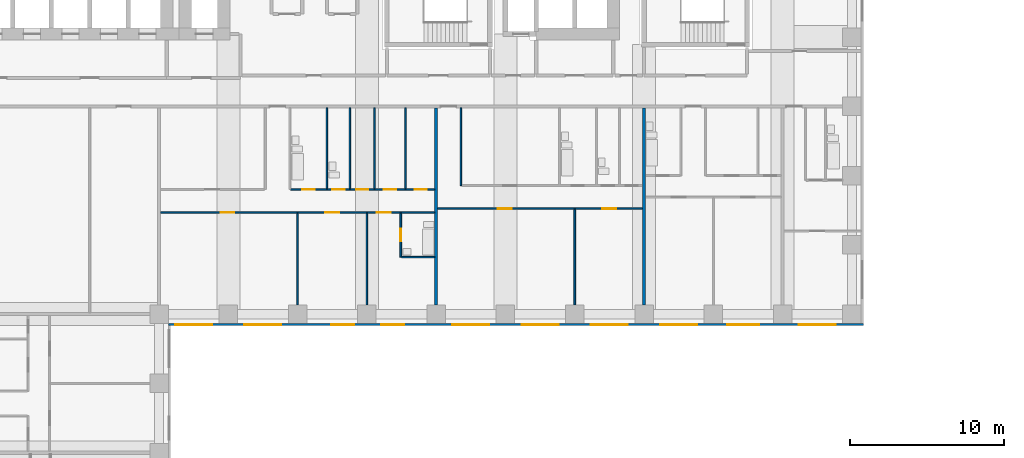
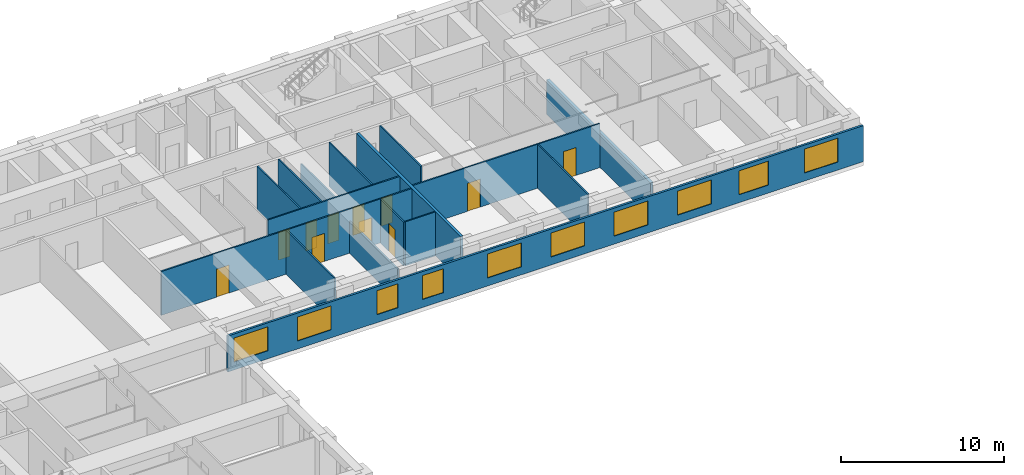
# One storey, part 8 of 14: 16 walls, 11 doors, 10 windows, 21 openings.
"""IFC4 building model written with IfcOpenShell, lengths in metres."""

from ifc_helpers import new_model, si_unit, direction, frame, frame_2d, origin, place, context, subcontext, project, spatial, rectangle, extrude, material, layer, layer_set, type_object, element, fill, save


model = new_model("IFC4")

# Units and contexts
model_context = context("Model", 3, precision=1e-05, world=origin(), true_north=direction((0.0, 1.0)))
body_context = subcontext(model_context, "Body", "Model", "MODEL_VIEW")
ifc_project = project(units=[si_unit("LENGTHUNIT", "METRE"), si_unit("AREAUNIT", "SQUARE_METRE"), si_unit("VOLUMEUNIT", "CUBIC_METRE"), si_unit("PLANEANGLEUNIT", "RADIAN"), si_unit("MASSUNIT", "GRAM", prefix="KILO")], contexts=[model_context])

# Site, building, storey
site_placement = place(None, origin())
site = spatial("IfcSite", under=ifc_project, at=site_placement, CompositionType="ELEMENT")
building_placement = place(site_placement, origin())
building = spatial("IfcBuilding", under=site, at=building_placement, Name="Firuza Court", CompositionType="ELEMENT")
storey_placement = place(building_placement, frame((0.0, 0.0, 32.60009765625)))
storey = spatial("IfcBuildingStorey", under=building, at=storey_placement, Name="L06", CompositionType="ELEMENT", Elevation=32.60009765625)

# Wall, opening, door
ifc_material_1 = material(Name="Moisture-resistant gypsum board partition")
ifc_layer_1 = layer(ifc_material_1, 0.10009765625)
ifc_layer_set_1 = layer_set([ifc_layer_1], Name="Moisture-resistant gypsum board partition")
wall_type_1 = type_object("IfcWallType", Name="Bathroom partition 100", PredefinedType="PLUMBINGWALL", material=ifc_layer_set_1)
wall_1_placement = place(storey_placement, frame((38.199951171875, 39.699951171875, 0.0), z_axis=(0.0, 0.0, 1.0), x_axis=(0.0, 1.0, 0.0)))
wall_1 = element("IfcWall", 1, at=wall_1_placement, inside=storey, type_object=wall_type_1, Name="Bathroom partition 100 L06", PredefinedType="PLUMBINGWALL", context=body_context, shape_type="SweptSolid", body=[
    extrude(rectangle(XDim=2.85009765625, YDim=0.10009765625, at=frame_2d((1.425048828125, 0.0))), origin(), (0.0, 0.0, 1.0), 3.2998046875),
])
opening_1_placement = place(wall_1_placement, frame((1.050048828125, 0.0, 0.0)))
opening_1 = element("IfcOpeningElement", 2, at=opening_1_placement, cuts=wall_1, Name="Opening D06042", PredefinedType="OPENING", context=body_context, shape_type="SweptSolid", body=[
    extrude(rectangle(XDim=0.800048828125, YDim=2.10009765625, at=frame_2d((0.39990234375, 1.050048828125))), frame((0.0, 0.06201171875, 0.0), z_axis=(0.0, -1.0, 0.0), x_axis=(1.0, 0.0, 0.0)), (0.0, 0.0, 1.0), 0.1240234375),
])
ifc_material_2 = material(Name="Timber door leaf in hardwood frame", Category="wood")
door_type_1 = type_object("IfcDoorType", Name="Bathroom door 800", OperationType="SINGLE_SWING_LEFT", PredefinedType="DOOR", material=ifc_material_2)
door_1_placement = place(opening_1_placement, frame((0.800048828125, 0.0, 0.0), z_axis=(0.0, 0.0, 1.0), x_axis=(-1.0, 0.0, 0.0)))
door_1 = element("IfcDoor", 3, at=door_1_placement, inside=storey, type_object=door_type_1, Name="En-suite door", OperationType="SINGLE_SWING_RIGHT", OverallHeight=2.10009765625, OverallWidth=0.800048828125, PredefinedType="DOOR", context=body_context, shape_type="SweptSolid", body=[
    extrude(rectangle(XDim=0.800048828125, YDim=2.10009765625, at=frame_2d((0.39990234375, 1.050048828125))), frame((0.0, 0.02490234375, 0.0), z_axis=(0.0, -1.0, 0.0), x_axis=(1.0, 0.0, 0.0)), (0.0, 0.0, 1.0), 0.050048828125),
])
fill(opening_1, door_1)

# Walls
wall_2_placement = place(storey_placement, frame((38.25, 39.699951171875, 0.0), z_axis=(0.0, 0.0, 1.0), x_axis=(1.0, 0.0, 0.0)))
element("IfcWall", 4, at=wall_2_placement, inside=storey, type_object=wall_type_1, Name="Bathroom partition 100 L06", PredefinedType="PLUMBINGWALL", context=body_context, shape_type="SweptSolid", body=[
    extrude(rectangle(XDim=2.14990234375, YDim=0.10009765625, at=frame_2d((1.074951171875, 0.0))), origin(), (0.0, 0.0, 1.0), 3.2998046875),
])
for number, where, z_axis, x_axis, name in (
    (5, (33.39990234375, 44.14990234375, 0.0), (0.0, 0.0, 1.0), (0.0, 1.0, 0.0), "Bathroom partition 100 L06"),
    (6, (34.89990234375, 44.14990234375, 0.0), (0.0, 0.0, 1.0), (0.0, 1.0, 0.0), "Bathroom partition 100 L06"),
):
    element("IfcWall", number, at=place(storey_placement, frame(where, z_axis=z_axis, x_axis=x_axis)), inside=storey, type_object=wall_type_1, Name=name, PredefinedType="PLUMBINGWALL", context=body_context, shape_type="SweptSolid", body=[
        extrude(rectangle(XDim=5.25, YDim=0.10009765625, at=frame_2d((2.625, 0.0))), origin(), (0.0, 0.0, 1.0), 3.2998046875),
    ])
ifc_material_3 = material(Name="Timber stud partition, plasterboard both sides", Category="wood")
ifc_layer_2 = layer(ifc_material_3, 0.10009765625)
ifc_layer_set_2 = layer_set([ifc_layer_2], Name="Timber stud partition, plasterboard both sides")
wall_type_2 = type_object("IfcWallType", Name="Partition wall 100", PredefinedType="PARTITIONING", material=ifc_layer_set_2)
wall_3_placement = place(storey_placement, frame((31.5, 36.60009765625, 0.0), z_axis=(0.0, 0.0, 1.0), x_axis=(0.0, 1.0, 0.0)))
element("IfcWall", 7, at=wall_3_placement, inside=storey, type_object=wall_type_2, Name="Partition wall 100 L06", PredefinedType="PARTITIONING", context=body_context, shape_type="SweptSolid", body=[
    extrude(rectangle(XDim=5.949951171875, YDim=0.10009765625, at=frame_2d((2.97509765625, 0.0))), origin(), (0.0, 0.0, 1.0), 3.2998046875),
])
wall_4_placement = place(storey_placement, frame((36.0, 36.60009765625, 0.0), z_axis=(0.0, 0.0, 1.0), x_axis=(0.0, 1.0, 0.0)))
element("IfcWall", 8, at=wall_4_placement, inside=storey, type_object=wall_type_2, Name="Partition wall 100 L06", PredefinedType="PARTITIONING", context=body_context, shape_type="SweptSolid", body=[
    extrude(rectangle(XDim=5.949951171875, YDim=0.10009765625, at=frame_2d((2.97509765625, 0.0))), origin(), (0.0, 0.0, 1.0), 2.39990234375),
])
wall_5_placement = place(storey_placement, frame((49.5, 36.60009765625, 0.0), z_axis=(0.0, 0.0, 1.0), x_axis=(0.0, 1.0, 0.0)))
element("IfcWall", 9, at=wall_5_placement, inside=storey, type_object=wall_type_2, Name="Partition wall 100 L06", PredefinedType="PARTITIONING", context=body_context, shape_type="SweptSolid", body=[
    extrude(rectangle(XDim=6.199951171875, YDim=0.10009765625, at=frame_2d((3.10009765625, 0.0))), origin(), (0.0, 0.0, 1.0), 3.2998046875),
])

# Wall, openings, doors
wall_6_placement = place(storey_placement, frame((22.60009765625, 42.60009765625, 0.0), z_axis=(0.0, 0.0, 1.0), x_axis=(1.0, 0.0, 0.0)))
wall_6 = element("IfcWall", 10, at=wall_6_placement, inside=storey, type_object=wall_type_2, Name="Partition wall 100 L06", PredefinedType="PARTITIONING", context=body_context, shape_type="SweptSolid", body=[
    extrude(rectangle(XDim=17.7998046875, YDim=0.10009765625, at=frame_2d((8.89990234375, 0.0))), origin(), (0.0, 0.0, 1.0), 3.2998046875),
])
opening_2_placement = place(wall_6_placement, frame((3.89990234375, 0.0, 0.0)))
opening_2 = element("IfcOpeningElement", 11, at=opening_2_placement, cuts=wall_6, Name="Opening D06044", PredefinedType="OPENING", context=body_context, shape_type="SweptSolid", body=[
    extrude(rectangle(XDim=0.89990234375, YDim=2.10009765625, at=frame_2d((0.449951171875, 1.050048828125))), frame((0.0, 0.06201171875, 0.0), z_axis=(0.0, -1.0, 0.0), x_axis=(1.0, 0.0, 0.0)), (0.0, 0.0, 1.0), 0.1240234375),
])
opening_3_placement = place(wall_6_placement, frame((10.699951171875, 0.0, 0.0)))
opening_3 = element("IfcOpeningElement", 12, at=opening_3_placement, cuts=wall_6, Name="Opening D06045", PredefinedType="OPENING", context=body_context, shape_type="SweptSolid", body=[
    extrude(rectangle(XDim=0.89990234375, YDim=2.10009765625, at=frame_2d((0.449951171875, 1.050048828125))), frame((0.0, 0.06201171875, 0.0), z_axis=(0.0, -1.0, 0.0), x_axis=(1.0, 0.0, 0.0)), (0.0, 0.0, 1.0), 0.1240234375),
])
opening_4_placement = place(wall_6_placement, frame((14.050048828125, 0.0, 0.0)))
opening_4 = element("IfcOpeningElement", 13, at=opening_4_placement, cuts=wall_6, Name="Opening D06046", PredefinedType="OPENING", context=body_context, shape_type="SweptSolid", body=[
    extrude(rectangle(XDim=0.89990234375, YDim=2.10009765625, at=frame_2d((0.449951171875, 1.050048828125))), frame((0.0, 0.06201171875, 0.0), z_axis=(0.0, -1.0, 0.0), x_axis=(1.0, 0.0, 0.0)), (0.0, 0.0, 1.0), 0.1240234375),
])
ifc_material_4 = material(Name="Timber door leaf in hardwood frame", Category="wood")
door_type_2 = type_object("IfcDoorType", Name="Room door 900", OperationType="SINGLE_SWING_LEFT", PredefinedType="DOOR", material=ifc_material_4)
door_2_placement = place(opening_2_placement, frame((0.89990234375, 0.0, 0.0), z_axis=(0.0, 0.0, 1.0), x_axis=(-1.0, 0.0, 0.0)))
door_2 = element("IfcDoor", 14, at=door_2_placement, inside=storey, type_object=door_type_2, Name="Living room door", OperationType="SINGLE_SWING_RIGHT", OverallHeight=2.10009765625, OverallWidth=0.89990234375, PredefinedType="DOOR", context=body_context, shape_type="SweptSolid", body=[
    extrude(rectangle(XDim=0.89990234375, YDim=2.10009765625, at=frame_2d((0.449951171875, 1.050048828125))), frame((0.0, 0.02490234375, 0.0), z_axis=(0.0, -1.0, 0.0), x_axis=(1.0, 0.0, 0.0)), (0.0, 0.0, 1.0), 0.050048828125),
])
fill(opening_2, door_2)
door_3_placement = place(opening_3_placement, frame((0.89990234375, 0.0, 0.0), z_axis=(0.0, 0.0, 1.0), x_axis=(-1.0, 0.0, 0.0)))
door_3 = element("IfcDoor", 15, at=door_3_placement, inside=storey, type_object=door_type_2, Name="Bedroom door", OperationType="SINGLE_SWING_RIGHT", OverallHeight=2.10009765625, OverallWidth=0.89990234375, PredefinedType="DOOR", context=body_context, shape_type="SweptSolid", body=[
    extrude(rectangle(XDim=0.89990234375, YDim=2.10009765625, at=frame_2d((0.449951171875, 1.050048828125))), frame((0.0, 0.02490234375, 0.0), z_axis=(0.0, -1.0, 0.0), x_axis=(1.0, 0.0, 0.0)), (0.0, 0.0, 1.0), 0.050048828125),
])
fill(opening_3, door_3)
door_4_placement = place(opening_4_placement, frame((0.89990234375, 0.0, 0.0), z_axis=(0.0, 0.0, 1.0), x_axis=(-1.0, 0.0, 0.0)))
door_4 = element("IfcDoor", 16, at=door_4_placement, inside=storey, type_object=door_type_2, Name="Bedroom door", OperationType="SINGLE_SWING_RIGHT", OverallHeight=2.10009765625, OverallWidth=0.89990234375, PredefinedType="DOOR", context=body_context, shape_type="SweptSolid", body=[
    extrude(rectangle(XDim=0.89990234375, YDim=2.10009765625, at=frame_2d((0.449951171875, 1.050048828125))), frame((0.0, 0.02490234375, 0.0), z_axis=(0.0, -1.0, 0.0), x_axis=(1.0, 0.0, 0.0)), (0.0, 0.0, 1.0), 0.050048828125),
])
fill(opening_4, door_4)

wall_7_placement = place(storey_placement, frame((40.60009765625, 42.85009765625, 0.0), z_axis=(0.0, 0.0, 1.0), x_axis=(1.0, 0.0, 0.0)))
wall_7 = element("IfcWall", 17, at=wall_7_placement, inside=storey, type_object=wall_type_2, Name="Partition wall 100 L06", PredefinedType="PARTITIONING", context=body_context, shape_type="SweptSolid", body=[
    extrude(rectangle(XDim=13.2998046875, YDim=0.10009765625, at=frame_2d((6.64990234375, 0.0))), origin(), (0.0, 0.0, 1.0), 3.2998046875),
])
opening_5_placement = place(wall_7_placement, frame((3.89990234375, 0.0, 0.0)))
opening_5 = element("IfcOpeningElement", 18, at=opening_5_placement, cuts=wall_7, Name="Opening D06047", PredefinedType="OPENING", context=body_context, shape_type="SweptSolid", body=[
    extrude(rectangle(XDim=0.89990234375, YDim=2.10009765625, at=frame_2d((0.449951171875, 1.050048828125))), frame((0.0, 0.06201171875, 0.0), z_axis=(0.0, -1.0, 0.0), x_axis=(1.0, 0.0, 0.0)), (0.0, 0.0, 1.0), 0.1240234375),
])
opening_6_placement = place(wall_7_placement, frame((10.699951171875, 0.0, 0.0)))
opening_6 = element("IfcOpeningElement", 19, at=opening_6_placement, cuts=wall_7, Name="Opening D06048", PredefinedType="OPENING", context=body_context, shape_type="SweptSolid", body=[
    extrude(rectangle(XDim=0.89990234375, YDim=2.10009765625, at=frame_2d((0.449951171875, 1.050048828125))), frame((0.0, 0.06201171875, 0.0), z_axis=(0.0, -1.0, 0.0), x_axis=(1.0, 0.0, 0.0)), (0.0, 0.0, 1.0), 0.1240234375),
])
door_5_placement = place(opening_5_placement, frame((0.89990234375, 0.0, 0.0), z_axis=(0.0, 0.0, 1.0), x_axis=(-1.0, 0.0, 0.0)))
door_5 = element("IfcDoor", 20, at=door_5_placement, inside=storey, type_object=door_type_2, Name="Living room door", OperationType="SINGLE_SWING_RIGHT", OverallHeight=2.10009765625, OverallWidth=0.89990234375, PredefinedType="DOOR", context=body_context, shape_type="SweptSolid", body=[
    extrude(rectangle(XDim=0.89990234375, YDim=2.10009765625, at=frame_2d((0.449951171875, 1.050048828125))), frame((0.0, 0.02490234375, 0.0), z_axis=(0.0, -1.0, 0.0), x_axis=(1.0, 0.0, 0.0)), (0.0, 0.0, 1.0), 0.050048828125),
])
fill(opening_5, door_5)
door_6_placement = place(opening_6_placement, frame((0.89990234375, 0.0, 0.0), z_axis=(0.0, 0.0, 1.0), x_axis=(-1.0, 0.0, 0.0)))
door_6 = element("IfcDoor", 21, at=door_6_placement, inside=storey, type_object=door_type_2, Name="Bedroom door", OperationType="SINGLE_SWING_RIGHT", OverallHeight=2.10009765625, OverallWidth=0.89990234375, PredefinedType="DOOR", context=body_context, shape_type="SweptSolid", body=[
    extrude(rectangle(XDim=0.89990234375, YDim=2.10009765625, at=frame_2d((0.449951171875, 1.050048828125))), frame((0.0, 0.02490234375, 0.0), z_axis=(0.0, -1.0, 0.0), x_axis=(1.0, 0.0, 0.0)), (0.0, 0.0, 1.0), 0.050048828125),
])
fill(opening_6, door_6)

wall_8_placement = place(storey_placement, frame((31.050048828125, 44.10009765625, 0.0), z_axis=(0.0, 0.0, 1.0), x_axis=(1.0, 0.0, 0.0)))
wall_8 = element("IfcWall", 22, at=wall_8_placement, inside=storey, type_object=wall_type_2, Name="Partition wall 100 L06", PredefinedType="PARTITIONING", context=body_context, shape_type="SweptSolid", body=[
    extrude(rectangle(XDim=9.349853515625, YDim=0.10009765625, at=frame_2d((4.6748046875, 0.0))), origin(), (0.0, 0.0, 1.0), 3.2998046875),
])
opening_7_placement = place(wall_8_placement, frame((0.75, 0.0, 0.0)))
opening_7 = element("IfcOpeningElement", 23, at=opening_7_placement, cuts=wall_8, Name="Opening D06052", PredefinedType="OPENING", context=body_context, shape_type="SweptSolid", body=[
    extrude(rectangle(XDim=0.800048828125, YDim=2.10009765625, at=frame_2d((0.39990234375, 1.050048828125))), frame((0.0, 0.06201171875, 0.0), z_axis=(0.0, -1.0, 0.0), x_axis=(1.0, 0.0, 0.0)), (0.0, 0.0, 1.0), 0.1240234375),
])
opening_8_placement = place(wall_8_placement, frame((8.050048828125, 0.0, 0.0)))
opening_8 = element("IfcOpeningElement", 24, at=opening_8_placement, cuts=wall_8, Name="Opening D06053", PredefinedType="OPENING", context=body_context, shape_type="SweptSolid", body=[
    extrude(rectangle(XDim=0.800048828125, YDim=2.10009765625, at=frame_2d((0.39990234375, 1.050048828125))), frame((0.0, 0.06201171875, 0.0), z_axis=(0.0, -1.0, 0.0), x_axis=(1.0, 0.0, 0.0)), (0.0, 0.0, 1.0), 0.1240234375),
])
opening_9_placement = place(wall_8_placement, frame((4.25, 0.0, 0.0)))
opening_9 = element("IfcOpeningElement", 25, at=opening_9_placement, cuts=wall_8, Name="Opening D06054", PredefinedType="OPENING", context=body_context, shape_type="SweptSolid", body=[
    extrude(rectangle(XDim=0.800048828125, YDim=2.10009765625, at=frame_2d((0.39990234375, 1.050048828125))), frame((0.0, 0.06201171875, 0.0), z_axis=(0.0, -1.0, 0.0), x_axis=(1.0, 0.0, 0.0)), (0.0, 0.0, 1.0), 0.1240234375),
])
opening_10_placement = place(wall_8_placement, frame((6.050048828125, 0.0, 0.0)))
opening_10 = element("IfcOpeningElement", 26, at=opening_10_placement, cuts=wall_8, Name="Opening D06055", PredefinedType="OPENING", context=body_context, shape_type="SweptSolid", body=[
    extrude(rectangle(XDim=0.800048828125, YDim=2.10009765625, at=frame_2d((0.39990234375, 1.050048828125))), frame((0.0, 0.06201171875, 0.0), z_axis=(0.0, -1.0, 0.0), x_axis=(1.0, 0.0, 0.0)), (0.0, 0.0, 1.0), 0.1240234375),
])
opening_11_placement = place(wall_8_placement, frame((2.699951171875, 0.0, 0.0)))
opening_11 = element("IfcOpeningElement", 27, at=opening_11_placement, cuts=wall_8, Name="Opening D06056", PredefinedType="OPENING", context=body_context, shape_type="SweptSolid", body=[
    extrude(rectangle(XDim=0.800048828125, YDim=2.10009765625, at=frame_2d((0.39990234375, 1.050048828125))), frame((0.0, 0.06201171875, 0.0), z_axis=(0.0, -1.0, 0.0), x_axis=(1.0, 0.0, 0.0)), (0.0, 0.0, 1.0), 0.1240234375),
])
door_7_placement = place(opening_7_placement, origin())
door_7 = element("IfcDoor", 28, at=door_7_placement, inside=storey, type_object=door_type_1, Name="Bathroom door", OperationType="SINGLE_SWING_LEFT", OverallHeight=2.10009765625, OverallWidth=0.800048828125, PredefinedType="DOOR", context=body_context, shape_type="SweptSolid", body=[
    extrude(rectangle(XDim=0.800048828125, YDim=2.10009765625, at=frame_2d((0.39990234375, 1.050048828125))), frame((0.0, 0.02490234375, 0.0), z_axis=(0.0, -1.0, 0.0), x_axis=(1.0, 0.0, 0.0)), (0.0, 0.0, 1.0), 0.050048828125),
])
fill(opening_7, door_7)
door_8_placement = place(opening_11_placement, origin())
door_8 = element("IfcDoor", 29, at=door_8_placement, inside=storey, type_object=door_type_1, Name="Powder room door", OperationType="SINGLE_SWING_LEFT", OverallHeight=2.10009765625, OverallWidth=0.800048828125, PredefinedType="DOOR", context=body_context, shape_type="SweptSolid", body=[
    extrude(rectangle(XDim=0.800048828125, YDim=2.10009765625, at=frame_2d((0.39990234375, 1.050048828125))), frame((0.0, 0.02490234375, 0.0), z_axis=(0.0, -1.0, 0.0), x_axis=(1.0, 0.0, 0.0)), (0.0, 0.0, 1.0), 0.050048828125),
])
fill(opening_11, door_8)
ifc_material_5 = material(Name="Timber door leaf in hardwood frame", Category="wood")
door_type_3 = type_object("IfcDoorType", Name="Room door 800", OperationType="SINGLE_SWING_LEFT", PredefinedType="DOOR", material=ifc_material_5)
door_9_placement = place(opening_8_placement, origin())
door_9 = element("IfcDoor", 30, at=door_9_placement, inside=storey, type_object=door_type_3, Name="Pantry door", OperationType="SINGLE_SWING_LEFT", OverallHeight=2.10009765625, OverallWidth=0.800048828125, PredefinedType="DOOR", context=body_context, shape_type="SweptSolid", body=[
    extrude(rectangle(XDim=0.800048828125, YDim=2.10009765625, at=frame_2d((0.39990234375, 1.050048828125))), frame((0.0, 0.02490234375, 0.0), z_axis=(0.0, -1.0, 0.0), x_axis=(1.0, 0.0, 0.0)), (0.0, 0.0, 1.0), 0.050048828125),
])
fill(opening_8, door_9)
door_10_placement = place(opening_9_placement, origin())
door_10 = element("IfcDoor", 31, at=door_10_placement, inside=storey, type_object=door_type_3, Name="Store door", OperationType="SINGLE_SWING_LEFT", OverallHeight=2.10009765625, OverallWidth=0.800048828125, PredefinedType="DOOR", context=body_context, shape_type="SweptSolid", body=[
    extrude(rectangle(XDim=0.800048828125, YDim=2.10009765625, at=frame_2d((0.39990234375, 1.050048828125))), frame((0.0, 0.02490234375, 0.0), z_axis=(0.0, -1.0, 0.0), x_axis=(1.0, 0.0, 0.0)), (0.0, 0.0, 1.0), 0.050048828125),
])
fill(opening_9, door_10)
door_11_placement = place(opening_10_placement, origin())
door_11 = element("IfcDoor", 32, at=door_11_placement, inside=storey, type_object=door_type_3, Name="Utility room door", OperationType="SINGLE_SWING_LEFT", OverallHeight=2.10009765625, OverallWidth=0.800048828125, PredefinedType="DOOR", context=body_context, shape_type="SweptSolid", body=[
    extrude(rectangle(XDim=0.800048828125, YDim=2.10009765625, at=frame_2d((0.39990234375, 1.050048828125))), frame((0.0, 0.02490234375, 0.0), z_axis=(0.0, -1.0, 0.0), x_axis=(1.0, 0.0, 0.0)), (0.0, 0.0, 1.0), 0.050048828125),
])
fill(opening_10, door_11)

# Walls
wall_9_placement = place(storey_placement, frame((36.5, 44.14990234375, 0.0), z_axis=(0.0, 0.0, 1.0), x_axis=(0.0, 1.0, 0.0)))
element("IfcWall", 33, at=wall_9_placement, inside=storey, type_object=wall_type_2, Name="Partition wall 100 L06", PredefinedType="PARTITIONING", context=body_context, shape_type="SweptSolid", body=[
    extrude(rectangle(XDim=5.25, YDim=0.10009765625, at=frame_2d((2.625, 0.0))), origin(), (0.0, 0.0, 1.0), 2.39990234375),
])
wall_10_placement = place(storey_placement, frame((38.5, 44.14990234375, 0.0), z_axis=(0.0, 0.0, 1.0), x_axis=(0.0, 1.0, 0.0)))
element("IfcWall", 34, at=wall_10_placement, inside=storey, type_object=wall_type_2, Name="Partition wall 100 L06", PredefinedType="PARTITIONING", context=body_context, shape_type="SweptSolid", body=[
    extrude(rectangle(XDim=5.25, YDim=0.10009765625, at=frame_2d((2.625, 0.0))), origin(), (0.0, 0.0, 1.0), 3.2998046875),
])
wall_11_placement = place(storey_placement, frame((42.10009765625, 44.35009765625, 0.0), z_axis=(0.0, 0.0, 1.0), x_axis=(0.0, 1.0, 0.0)))
element("IfcWall", 35, at=wall_11_placement, inside=storey, type_object=wall_type_2, Name="Partition wall 100 L06", PredefinedType="PARTITIONING", context=body_context, shape_type="SweptSolid", body=[
    extrude(rectangle(XDim=5.0498046875, YDim=0.10009765625, at=frame_2d((2.52490234375, 0.0))), origin(), (0.0, 0.0, 1.0), 3.2998046875),
])
ifc_material_6 = material(Name="Blockwork, plastered both sides", Category="masonry")
ifc_layer_3 = layer(ifc_material_6, 0.199951171875)
ifc_layer_set_3 = layer_set([ifc_layer_3], Name="Blockwork, plastered both sides")
wall_type_3 = type_object("IfcWallType", Name="Party wall 200", PredefinedType="PARTITIONING", material=ifc_layer_set_3)
wall_12_placement = place(storey_placement, frame((40.5, 36.60009765625, 0.0), z_axis=(0.0, 0.0, 1.0), x_axis=(0.0, 1.0, 0.0)))
element("IfcWall", 36, at=wall_12_placement, inside=storey, type_object=wall_type_3, Name="Party wall 200 L06", PredefinedType="PARTITIONING", context=body_context, shape_type="SweptSolid", body=[
    extrude(rectangle(XDim=12.7998046875, YDim=0.199951171875, at=frame_2d((6.39990234375, 0.0))), origin(), (0.0, 0.0, 1.0), 3.2998046875),
])
wall_13_placement = place(storey_placement, frame((54.0, 36.60009765625, 0.0), z_axis=(0.0, 0.0, 1.0), x_axis=(0.0, 1.0, 0.0)))
element("IfcWall", 37, at=wall_13_placement, inside=storey, type_object=wall_type_3, Name="Party wall 200 L06", PredefinedType="PARTITIONING", context=body_context, shape_type="SweptSolid", body=[
    extrude(rectangle(XDim=12.7998046875, YDim=0.199951171875, at=frame_2d((6.39990234375, 0.0))), origin(), (0.0, 0.0, 1.0), 2.599853515625),
])

# Wall, openings, windows
ifc_material_7 = material(Name="Ceramic tile", Category="ceramic")
ifc_layer_4 = layer(ifc_material_7, 0.02001953125)
ifc_material_8 = material(Name="Mineral wool insulation", Category="insulation")
ifc_layer_5 = layer(ifc_material_8, 0.050048828125)
ifc_material_9 = material(Name="Concrete C40/50 precast", Category="concrete")
ifc_layer_6 = layer(ifc_material_9, 0.080078125)
ifc_layer_set_4 = layer_set([ifc_layer_4, ifc_layer_5, ifc_layer_6], Name="Concrete C40/50 precast")
wall_type_4 = type_object("IfcWallType", Name="Precast cladding wall with turquoise TILE PANEL face 150", PredefinedType="STANDARD", material=ifc_layer_set_4)
wall_14_placement = place(storey_placement, frame((23.10009765625, 35.324951171875, 0.0), z_axis=(0.0, 0.0, 1.0), x_axis=(1.0, 0.0, 0.0)))
wall_14 = element("IfcWall", 38, at=wall_14_placement, inside=storey, type_object=wall_type_4, Name="Facade wall L06 S", PredefinedType="STANDARD", context=body_context, shape_type="SweptSolid", body=[
    extrude(rectangle(XDim=45.14990234375, YDim=0.14990234375, at=frame_2d((22.574951171875, 0.0))), origin(), (0.0, 0.0, 1.0), 2.699951171875),
])
opening_12_placement = place(wall_14_placement, frame((0.449951171875, 0.0, 0.60009765625)))
opening_12 = element("IfcOpeningElement", 39, at=opening_12_placement, cuts=wall_14, Name="Opening W1", PredefinedType="OPENING", context=body_context, shape_type="SweptSolid", body=[
    extrude(rectangle(XDim=2.39990234375, YDim=1.800048828125, at=frame_2d((1.199951171875, 0.89990234375))), frame((0.0, 0.0869140625, 0.0), z_axis=(0.0, -1.0, 0.0), x_axis=(1.0, 0.0, 0.0)), (0.0, 0.0, 1.0), 0.173828125),
])
opening_13_placement = place(wall_14_placement, frame((4.949951171875, 0.0, 0.60009765625)))
opening_13 = element("IfcOpeningElement", 40, at=opening_13_placement, cuts=wall_14, Name="Opening W1", PredefinedType="OPENING", context=body_context, shape_type="SweptSolid", body=[
    extrude(rectangle(XDim=2.39990234375, YDim=1.800048828125, at=frame_2d((1.199951171875, 0.89990234375))), frame((0.0, 0.0869140625, 0.0), z_axis=(0.0, -1.0, 0.0), x_axis=(1.0, 0.0, 0.0)), (0.0, 0.0, 1.0), 0.173828125),
])
opening_14_placement = place(wall_14_placement, frame((10.583251953125, 0.0, 0.60009765625)))
opening_14 = element("IfcOpeningElement", 41, at=opening_14_placement, cuts=wall_14, Name="Opening W2", PredefinedType="OPENING", context=body_context, shape_type="SweptSolid", body=[
    extrude(rectangle(XDim=1.5, YDim=1.800048828125, at=frame_2d((0.75, 0.89990234375))), frame((0.0, 0.0869140625, 0.0), z_axis=(0.0, -1.0, 0.0), x_axis=(1.0, 0.0, 0.0)), (0.0, 0.0, 1.0), 0.173828125),
])
opening_15_placement = place(wall_14_placement, frame((13.82958984375, 0.0, 0.60009765625)))
opening_15 = element("IfcOpeningElement", 42, at=opening_15_placement, cuts=wall_14, Name="Opening W2", PredefinedType="OPENING", context=body_context, shape_type="SweptSolid", body=[
    extrude(rectangle(XDim=1.5, YDim=1.800048828125, at=frame_2d((0.75, 0.89990234375))), frame((0.0, 0.0869140625, 0.0), z_axis=(0.0, -1.0, 0.0), x_axis=(1.0, 0.0, 0.0)), (0.0, 0.0, 1.0), 0.173828125),
])
opening_16_placement = place(wall_14_placement, frame((18.449951171875, 0.0, 0.60009765625)))
opening_16 = element("IfcOpeningElement", 43, at=opening_16_placement, cuts=wall_14, Name="Opening W1", PredefinedType="OPENING", context=body_context, shape_type="SweptSolid", body=[
    extrude(rectangle(XDim=2.39990234375, YDim=1.800048828125, at=frame_2d((1.199951171875, 0.89990234375))), frame((0.0, 0.0869140625, 0.0), z_axis=(0.0, -1.0, 0.0), x_axis=(1.0, 0.0, 0.0)), (0.0, 0.0, 1.0), 0.173828125),
])
opening_17_placement = place(wall_14_placement, frame((22.949951171875, 0.0, 0.60009765625)))
opening_17 = element("IfcOpeningElement", 44, at=opening_17_placement, cuts=wall_14, Name="Opening W1", PredefinedType="OPENING", context=body_context, shape_type="SweptSolid", body=[
    extrude(rectangle(XDim=2.39990234375, YDim=1.800048828125, at=frame_2d((1.199951171875, 0.89990234375))), frame((0.0, 0.0869140625, 0.0), z_axis=(0.0, -1.0, 0.0), x_axis=(1.0, 0.0, 0.0)), (0.0, 0.0, 1.0), 0.173828125),
])
opening_18_placement = place(wall_14_placement, frame((27.449951171875, 0.0, 0.60009765625)))
opening_18 = element("IfcOpeningElement", 45, at=opening_18_placement, cuts=wall_14, Name="Opening W1", PredefinedType="OPENING", context=body_context, shape_type="SweptSolid", body=[
    extrude(rectangle(XDim=2.39990234375, YDim=1.800048828125, at=frame_2d((1.199951171875, 0.89990234375))), frame((0.0, 0.0869140625, 0.0), z_axis=(0.0, -1.0, 0.0), x_axis=(1.0, 0.0, 0.0)), (0.0, 0.0, 1.0), 0.173828125),
])
opening_19_placement = place(wall_14_placement, frame((31.949951171875, 0.0, 0.60009765625)))
opening_19 = element("IfcOpeningElement", 46, at=opening_19_placement, cuts=wall_14, Name="Opening W1", PredefinedType="OPENING", context=body_context, shape_type="SweptSolid", body=[
    extrude(rectangle(XDim=2.39990234375, YDim=1.800048828125, at=frame_2d((1.199951171875, 0.89990234375))), frame((0.0, 0.0869140625, 0.0), z_axis=(0.0, -1.0, 0.0), x_axis=(1.0, 0.0, 0.0)), (0.0, 0.0, 1.0), 0.173828125),
])
opening_20_placement = place(wall_14_placement, frame((36.29736328125, 0.0, 0.60009765625)))
opening_20 = element("IfcOpeningElement", 47, at=opening_20_placement, cuts=wall_14, Name="Opening W6", PredefinedType="OPENING", context=body_context, shape_type="SweptSolid", body=[
    extrude(rectangle(XDim=2.10009765625, YDim=1.800048828125, at=frame_2d((1.050048828125, 0.89990234375))), frame((0.0, 0.0869140625, 0.0), z_axis=(0.0, -1.0, 0.0), x_axis=(1.0, 0.0, 0.0)), (0.0, 0.0, 1.0), 0.173828125),
])
opening_21_placement = place(wall_14_placement, frame((40.949951171875, 0.0, 0.60009765625)))
opening_21 = element("IfcOpeningElement", 48, at=opening_21_placement, cuts=wall_14, Name="Opening W1", PredefinedType="OPENING", context=body_context, shape_type="SweptSolid", body=[
    extrude(rectangle(XDim=2.39990234375, YDim=1.800048828125, at=frame_2d((1.199951171875, 0.89990234375))), frame((0.0, 0.0869140625, 0.0), z_axis=(0.0, -1.0, 0.0), x_axis=(1.0, 0.0, 0.0)), (0.0, 0.0, 1.0), 0.173828125),
])
ifc_material_10 = material(Name="Aluminium frame, triple clear glazing", Category="aluminium")
window_type_1 = type_object("IfcWindowType", Name="Window W1 2400 x 1800", PartitioningType="SINGLE_PANEL", PredefinedType="WINDOW", material=ifc_material_10)
window_1_placement = place(opening_12_placement, origin())
window_1 = element("IfcWindow", 49, at=window_1_placement, inside=storey, type_object=window_type_1, Name="Window L06", OverallHeight=1.800048828125, OverallWidth=2.39990234375, PartitioningType="SINGLE_PANEL", PredefinedType="WINDOW", context=body_context, shape_type="SweptSolid", body=[
    extrude(rectangle(XDim=2.39990234375, YDim=1.800048828125, at=frame_2d((1.199951171875, 0.89990234375))), frame((0.0, 0.030029296875, 0.0), z_axis=(0.0, -1.0, 0.0), x_axis=(1.0, 0.0, 0.0)), (0.0, 0.0, 1.0), 0.06005859375),
])
fill(opening_12, window_1)
window_2_placement = place(opening_13_placement, origin())
window_2 = element("IfcWindow", 50, at=window_2_placement, inside=storey, type_object=window_type_1, Name="Window L06", OverallHeight=1.800048828125, OverallWidth=2.39990234375, PartitioningType="SINGLE_PANEL", PredefinedType="WINDOW", context=body_context, shape_type="SweptSolid", body=[
    extrude(rectangle(XDim=2.39990234375, YDim=1.800048828125, at=frame_2d((1.199951171875, 0.89990234375))), frame((0.0, 0.030029296875, 0.0), z_axis=(0.0, -1.0, 0.0), x_axis=(1.0, 0.0, 0.0)), (0.0, 0.0, 1.0), 0.06005859375),
])
fill(opening_13, window_2)
window_3_placement = place(opening_16_placement, origin())
window_3 = element("IfcWindow", 51, at=window_3_placement, inside=storey, type_object=window_type_1, Name="Window L06", OverallHeight=1.800048828125, OverallWidth=2.39990234375, PartitioningType="SINGLE_PANEL", PredefinedType="WINDOW", context=body_context, shape_type="SweptSolid", body=[
    extrude(rectangle(XDim=2.39990234375, YDim=1.800048828125, at=frame_2d((1.199951171875, 0.89990234375))), frame((0.0, 0.030029296875, 0.0), z_axis=(0.0, -1.0, 0.0), x_axis=(1.0, 0.0, 0.0)), (0.0, 0.0, 1.0), 0.06005859375),
])
fill(opening_16, window_3)
window_4_placement = place(opening_17_placement, origin())
window_4 = element("IfcWindow", 52, at=window_4_placement, inside=storey, type_object=window_type_1, Name="Window L06", OverallHeight=1.800048828125, OverallWidth=2.39990234375, PartitioningType="SINGLE_PANEL", PredefinedType="WINDOW", context=body_context, shape_type="SweptSolid", body=[
    extrude(rectangle(XDim=2.39990234375, YDim=1.800048828125, at=frame_2d((1.199951171875, 0.89990234375))), frame((0.0, 0.030029296875, 0.0), z_axis=(0.0, -1.0, 0.0), x_axis=(1.0, 0.0, 0.0)), (0.0, 0.0, 1.0), 0.06005859375),
])
fill(opening_17, window_4)
window_5_placement = place(opening_18_placement, origin())
window_5 = element("IfcWindow", 53, at=window_5_placement, inside=storey, type_object=window_type_1, Name="Window L06", OverallHeight=1.800048828125, OverallWidth=2.39990234375, PartitioningType="SINGLE_PANEL", PredefinedType="WINDOW", context=body_context, shape_type="SweptSolid", body=[
    extrude(rectangle(XDim=2.39990234375, YDim=1.800048828125, at=frame_2d((1.199951171875, 0.89990234375))), frame((0.0, 0.030029296875, 0.0), z_axis=(0.0, -1.0, 0.0), x_axis=(1.0, 0.0, 0.0)), (0.0, 0.0, 1.0), 0.06005859375),
])
fill(opening_18, window_5)
window_6_placement = place(opening_19_placement, origin())
window_6 = element("IfcWindow", 54, at=window_6_placement, inside=storey, type_object=window_type_1, Name="Window L06", OverallHeight=1.800048828125, OverallWidth=2.39990234375, PartitioningType="SINGLE_PANEL", PredefinedType="WINDOW", context=body_context, shape_type="SweptSolid", body=[
    extrude(rectangle(XDim=2.39990234375, YDim=1.800048828125, at=frame_2d((1.199951171875, 0.89990234375))), frame((0.0, 0.030029296875, 0.0), z_axis=(0.0, -1.0, 0.0), x_axis=(1.0, 0.0, 0.0)), (0.0, 0.0, 1.0), 0.06005859375),
])
fill(opening_19, window_6)
window_7_placement = place(opening_21_placement, origin())
window_7 = element("IfcWindow", 55, at=window_7_placement, inside=storey, type_object=window_type_1, Name="Window L06", OverallHeight=1.800048828125, OverallWidth=2.39990234375, PartitioningType="SINGLE_PANEL", PredefinedType="WINDOW", context=body_context, shape_type="SweptSolid", body=[
    extrude(rectangle(XDim=2.39990234375, YDim=1.800048828125, at=frame_2d((1.199951171875, 0.89990234375))), frame((0.0, 0.030029296875, 0.0), z_axis=(0.0, -1.0, 0.0), x_axis=(1.0, 0.0, 0.0)), (0.0, 0.0, 1.0), 0.06005859375),
])
fill(opening_21, window_7)
ifc_material_11 = material(Name="Aluminium frame, triple clear glazing", Category="aluminium")
window_type_2 = type_object("IfcWindowType", Name="Window W2 1500 x 1800", PartitioningType="SINGLE_PANEL", PredefinedType="WINDOW", material=ifc_material_11)
window_8_placement = place(opening_14_placement, origin())
window_8 = element("IfcWindow", 56, at=window_8_placement, inside=storey, type_object=window_type_2, Name="Window L06", OverallHeight=1.800048828125, OverallWidth=1.5, PartitioningType="SINGLE_PANEL", PredefinedType="WINDOW", context=body_context, shape_type="SweptSolid", body=[
    extrude(rectangle(XDim=1.5, YDim=1.800048828125, at=frame_2d((0.75, 0.89990234375))), frame((0.0, 0.030029296875, 0.0), z_axis=(0.0, -1.0, 0.0), x_axis=(1.0, 0.0, 0.0)), (0.0, 0.0, 1.0), 0.06005859375),
])
fill(opening_14, window_8)
window_9_placement = place(opening_15_placement, origin())
window_9 = element("IfcWindow", 57, at=window_9_placement, inside=storey, type_object=window_type_2, Name="Window L06", OverallHeight=1.800048828125, OverallWidth=1.5, PartitioningType="SINGLE_PANEL", PredefinedType="WINDOW", context=body_context, shape_type="SweptSolid", body=[
    extrude(rectangle(XDim=1.5, YDim=1.800048828125, at=frame_2d((0.75, 0.89990234375))), frame((0.0, 0.030029296875, 0.0), z_axis=(0.0, -1.0, 0.0), x_axis=(1.0, 0.0, 0.0)), (0.0, 0.0, 1.0), 0.06005859375),
])
fill(opening_15, window_9)
ifc_material_12 = material(Name="Aluminium frame, triple clear glazing", Category="aluminium")
window_type_3 = type_object("IfcWindowType", Name="Window W6 2100 x 1800", PartitioningType="SINGLE_PANEL", PredefinedType="WINDOW", material=ifc_material_12)
window_10_placement = place(opening_20_placement, origin())
window_10 = element("IfcWindow", 58, at=window_10_placement, inside=storey, type_object=window_type_3, Name="Window L06", OverallHeight=1.800048828125, OverallWidth=2.10009765625, PartitioningType="SINGLE_PANEL", PredefinedType="WINDOW", context=body_context, shape_type="SweptSolid", body=[
    extrude(rectangle(XDim=2.10009765625, YDim=1.800048828125, at=frame_2d((1.050048828125, 0.89990234375))), frame((0.0, 0.030029296875, 0.0), z_axis=(0.0, -1.0, 0.0), x_axis=(1.0, 0.0, 0.0)), (0.0, 0.0, 1.0), 0.06005859375),
])
fill(opening_20, window_10)

save(model, "model.ifc")
